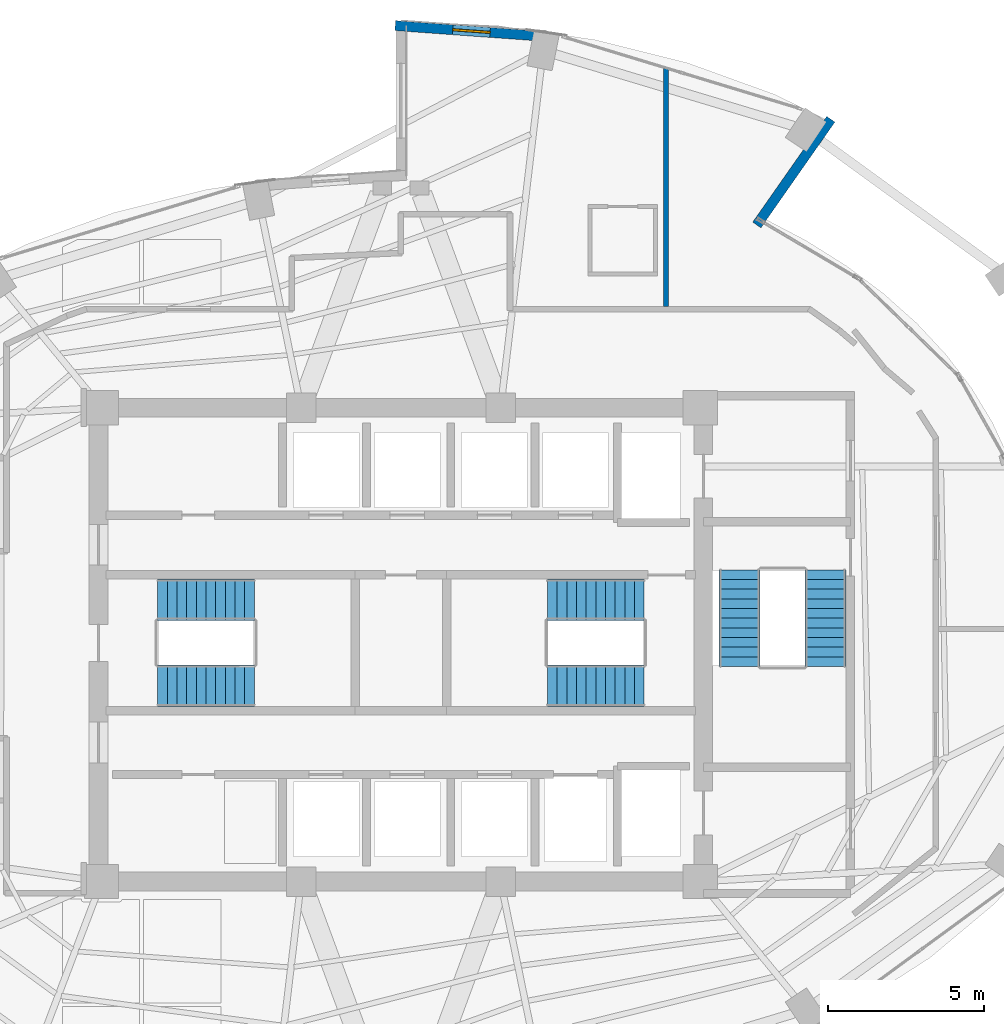
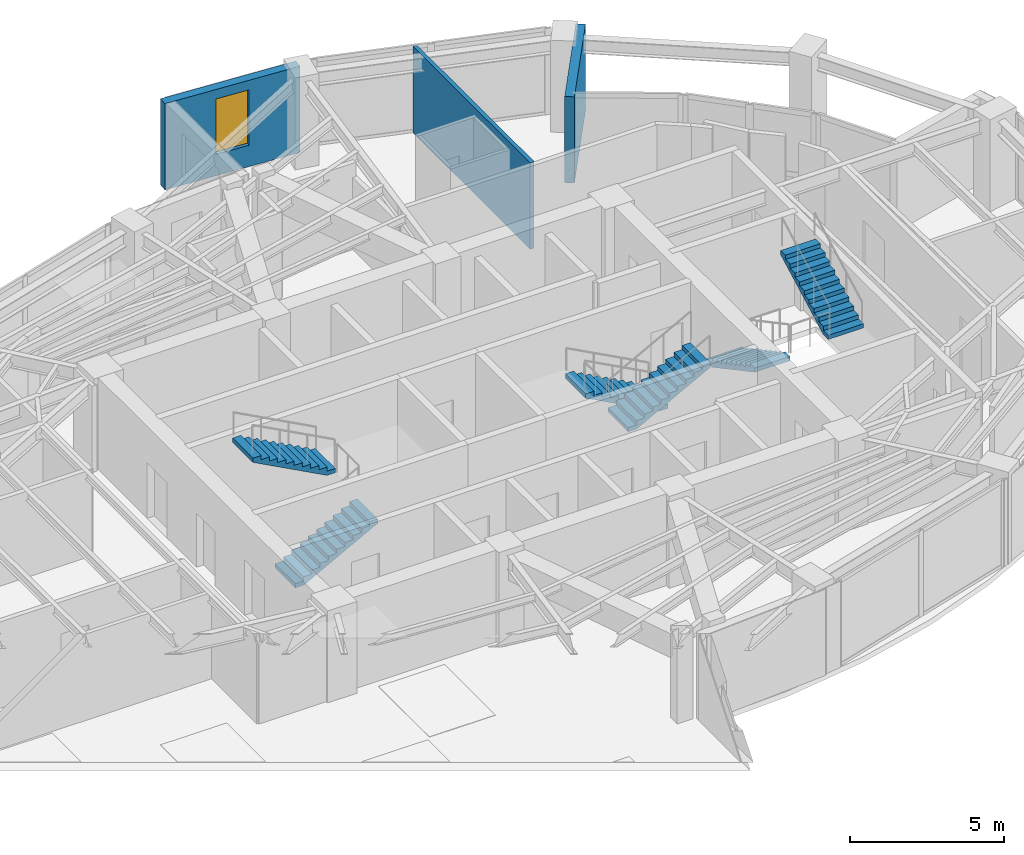
# One storey, part 17 of 19: 6 stair flights, 3 walls, 1 window, 1 opening, 3 elements without a shape of their own.
"""IFC4 building model written with IfcOpenShell, lengths in metres."""

from ifc_helpers import new_model, si_unit, direction, frame, frame_2d, origin, place, context, subcontext, project, spatial, polyline, rectangle, outline, extrude, material, layer, layer_set, type_object, element, fill, aggregate, save


model = new_model("IFC4")

# Units and contexts
model_context = context("Model", 3, precision=1e-05, world=origin(), true_north=direction((0.0, 1.0)))
body_context = subcontext(model_context, "Body", "Model", "MODEL_VIEW")
ifc_project = project(units=[si_unit("LENGTHUNIT", "METRE"), si_unit("AREAUNIT", "SQUARE_METRE"), si_unit("VOLUMEUNIT", "CUBIC_METRE"), si_unit("PLANEANGLEUNIT", "RADIAN"), si_unit("MASSUNIT", "GRAM", prefix="KILO")], contexts=[model_context])

# Site, building, storey
site_placement = place(None, origin())
site = spatial("IfcSite", under=ifc_project, at=site_placement, CompositionType="ELEMENT")
building_placement = place(site_placement, origin())
building = spatial("IfcBuilding", under=site, at=building_placement, Name="Lazwardi Medical Tower", CompositionType="ELEMENT")
storey_placement = place(building_placement, frame((0.0, 0.0, 167.471923828125)))
storey = spatial("IfcBuildingStorey", under=building, at=storey_placement, Name="L43", CompositionType="ELEMENT", Elevation=167.471923828125)

# Wall, opening, window
ifc_material_1 = material(Name="Precast concrete C45/55", Category="concrete")
ifc_layer_1 = layer(ifc_material_1, 0.320068359375)
ifc_layer_set_1 = layer_set([ifc_layer_1], Name="Precast concrete C45/55")
wall_type_1 = type_object("IfcWallType", Name="WL-IWAN-320", PredefinedType="SOLIDWALL", material=ifc_layer_set_1)
wall_1_placement = place(storey_placement, frame((40.700927734375, 47.501220703125, 0.0), z_axis=(0.0, 0.0, 1.0), x_axis=(-0.997415460462, 0.071849838072, 0.0)))
wall_1 = element("IfcWall", 1, at=wall_1_placement, inside=storey, type_object=wall_type_1, Name="L43 Iwan Portal Return Wall NE_ret", PredefinedType="SOLIDWALL", context=body_context, shape_type="SweptSolid", body=[
    extrude(rectangle(XDim=4.89306640625, YDim=0.320068359375, at=frame_2d((2.446533203125, 0.0))), origin(), (0.0, 0.0, 1.0), 3.427978515625),
])
opening_placement = place(wall_1_placement, frame((1.846435546875, 0.0, 0.85009765625)))
opening = element("IfcOpeningElement", 2, at=opening_placement, cuts=wall_1, Name="Opening WN-01", PredefinedType="OPENING", context=body_context, shape_type="SweptSolid", body=[
    extrude(rectangle(XDim=1.199951171875, YDim=2.199951171875, at=frame_2d((0.60009765625, 1.10009765625))), frame((0.0, 0.169921875, 0.0), z_axis=(0.0, -1.0, 0.0), x_axis=(1.0, 0.0, 0.0)), (0.0, 0.0, 1.0), 0.340087890625),
])
ifc_material_2 = material(Name="Low-e bronze solar control double glazing", Category="glass")
window_type = type_object("IfcWindowType", Name="WIN-IW-1200", PartitioningType="SINGLE_PANEL", PredefinedType="WINDOW", material=ifc_material_2)
window_placement = place(opening_placement, origin())
window = element("IfcWindow", 3, at=window_placement, inside=storey, type_object=window_type, Name="L43 Iwan Slot Window NE_ret", OverallHeight=2.199951171875, OverallWidth=1.199951171875, PartitioningType="SINGLE_PANEL", PredefinedType="WINDOW", context=body_context, shape_type="SweptSolid", body=[
    extrude(rectangle(XDim=1.199951171875, YDim=2.199951171875, at=frame_2d((0.60009765625, 1.10009765625))), frame((0.0, 0.030029296875, 0.0), z_axis=(0.0, -1.0, 0.0), x_axis=(1.0, 0.0, 0.0)), (0.0, 0.0, 1.0), 0.06005859375),
])
fill(opening, window)

# Walls
wall_2_placement = place(storey_placement, frame((49.788818359375, 44.849853515625, 0.0), z_axis=(0.0, 0.0, 1.0), x_axis=(-0.57355337011, -0.819168194961, 0.0)))
element("IfcWall", 4, at=wall_2_placement, inside=storey, type_object=wall_type_1, Name="L43 Sky Garden SG3 Flank Wall S1", PredefinedType="SOLIDWALL", context=body_context, shape_type="SweptSolid", body=[
    extrude(rectangle(XDim=4.139892578125, YDim=0.320068359375, at=frame_2d((2.06982421875, 0.0))), origin(), (0.0, 0.0, 1.0), 3.427978515625),
])
ifc_material_3 = material(Name="Acoustic gypsum board partition")
ifc_layer_2 = layer(ifc_material_3, 0.14990234375)
ifc_layer_set_2 = layer_set([ifc_layer_2], Name="Acoustic gypsum board partition")
wall_type_2 = type_object("IfcWallType", Name="WL-WRD-150", PredefinedType="PARTITIONING", material=ifc_layer_set_2)
wall_3_placement = place(storey_placement, frame((44.5, 38.840087890625, 0.0), z_axis=(0.0, 0.0, 1.0), x_axis=(0.0, 1.0, 0.0)))
element("IfcWall", 5, at=wall_3_placement, inside=storey, type_object=wall_type_2, Name="L43 Room partition 4", PredefinedType="PARTITIONING", context=body_context, shape_type="SweptSolid", body=[
    extrude(rectangle(XDim=7.639404296875, YDim=0.14990234375, at=frame_2d((3.81982421875, 0.0))), origin(), (0.0, 0.0, 1.0), 3.427978515625),
])

# Stair, stair flights
ifc_material_4 = material(Name="Concrete C45/55", Category="concrete")
stair_type = type_object("IfcStairType", Name="STR-WRD", PredefinedType="HALF_TURN_STAIR", material=ifc_material_4)
stair_1_placement = place(storey_placement, origin())
stair_1 = element("IfcStair", 6, at=stair_1_placement, inside=storey, type_object=stair_type, Name="L43 Protected Exit Stair ST1", PredefinedType="HALF_TURN_STAIR")
stair_flight_type = type_object("IfcStairFlightType", Name="FLT-WRD", PredefinedType="STRAIGHT", material=ifc_material_4)
stair_flight_1_placement = place(storey_placement, frame((28.199951171875, 26.679931640625, 0.0), z_axis=(0.0, 0.0, 1.0), x_axis=(1.0, 0.0, 0.0)))
stair_flight_1 = element("IfcStairFlight", 7, at=stair_flight_1_placement, type_object=stair_flight_type, Name="ST1 flight 1", NumberOfRisers=11, NumberOfTreads=10, PredefinedType="STRAIGHT", RiserHeight=0.165818182, TreadLength=0.31, context=body_context, shape_type="SweptSolid", body=[
    extrude(outline(polyline([(0.0, 0.0), (0.0, 0.165771484375), (0.31005859375, 0.165771484375), (0.31005859375, 0.33154296875), (0.6201171875, 0.33154296875), (0.6201171875, 0.49755859375), (0.929931640625, 0.49755859375), (0.929931640625, 0.663330078125), (1.239990234375, 0.663330078125), (1.239990234375, 0.8291015625), (1.550048828125, 0.8291015625), (1.550048828125, 0.994873046875), (1.860107421875, 0.994873046875), (1.860107421875, 1.16064453125), (2.169921875, 1.16064453125), (2.169921875, 1.32666015625), (2.47998046875, 1.32666015625), (2.47998046875, 1.492431640625), (2.7900390625, 1.492431640625), (2.7900390625, 1.658203125), (3.10009765625, 1.658203125), (3.10009765625, 1.823974609375), (3.10009765625, 1.48828125), (0.31787109375, 0.0), (0.0, 0.0)])), frame((0.0, 0.66015625, 0.0), z_axis=(0.0, -1.0, 0.0), x_axis=(1.0, 0.0, 0.0)), (0.0, 0.0, 1.0), 1.320068359375),
])
stair_flight_2_placement = place(storey_placement, frame((31.300048828125, 29.43994140625, 1.823974609375), z_axis=(0.0, 0.0, 1.0), x_axis=(-1.0, 0.0, 0.0)))
stair_flight_2 = element("IfcStairFlight", 8, at=stair_flight_2_placement, type_object=stair_flight_type, Name="ST1 flight 2", NumberOfRisers=11, NumberOfTreads=10, PredefinedType="STRAIGHT", RiserHeight=0.165818182, TreadLength=0.31, context=body_context, shape_type="SweptSolid", body=[
    extrude(outline(polyline([(0.0, 0.0), (0.0, 0.165771484375), (0.31005859375, 0.165771484375), (0.31005859375, 0.33154296875), (0.6201171875, 0.33154296875), (0.6201171875, 0.49755859375), (0.929931640625, 0.49755859375), (0.929931640625, 0.663330078125), (1.239990234375, 0.663330078125), (1.239990234375, 0.8291015625), (1.550048828125, 0.8291015625), (1.550048828125, 0.994873046875), (1.860107421875, 0.994873046875), (1.860107421875, 1.16064453125), (2.169921875, 1.16064453125), (2.169921875, 1.32666015625), (2.47998046875, 1.32666015625), (2.47998046875, 1.492431640625), (2.7900390625, 1.492431640625), (2.7900390625, 1.658203125), (3.10009765625, 1.658203125), (3.10009765625, 1.823974609375), (3.10009765625, 1.48828125), (0.31787109375, 0.0), (0.0, 0.0)])), frame((0.0, 0.66015625, 0.0), z_axis=(0.0, -1.0, 0.0), x_axis=(1.0, 0.0, 0.0)), (0.0, 0.0, 1.0), 1.320068359375),
])
aggregate(stair_1, [stair_flight_1, stair_flight_2])

stair_2_placement = place(storey_placement, origin())
stair_2 = element("IfcStair", 9, at=stair_2_placement, inside=storey, type_object=stair_type, Name="L43 Protected Exit Stair ST2", PredefinedType="HALF_TURN_STAIR")
stair_flight_3_placement = place(storey_placement, frame((43.800048828125, 29.43994140625, 0.0), z_axis=(0.0, 0.0, 1.0), x_axis=(-1.0, 0.0, 0.0)))
stair_flight_3 = element("IfcStairFlight", 10, at=stair_flight_3_placement, type_object=stair_flight_type, Name="ST2 flight 1", NumberOfRisers=11, NumberOfTreads=10, PredefinedType="STRAIGHT", RiserHeight=0.165818182, TreadLength=0.31, context=body_context, shape_type="SweptSolid", body=[
    extrude(outline(polyline([(0.0, 0.0), (0.0, 0.165771484375), (0.31005859375, 0.165771484375), (0.31005859375, 0.33154296875), (0.6201171875, 0.33154296875), (0.6201171875, 0.49755859375), (0.929931640625, 0.49755859375), (0.929931640625, 0.663330078125), (1.239990234375, 0.663330078125), (1.239990234375, 0.8291015625), (1.550048828125, 0.8291015625), (1.550048828125, 0.994873046875), (1.860107421875, 0.994873046875), (1.860107421875, 1.16064453125), (2.169921875, 1.16064453125), (2.169921875, 1.32666015625), (2.47998046875, 1.32666015625), (2.47998046875, 1.492431640625), (2.7900390625, 1.492431640625), (2.7900390625, 1.658203125), (3.10009765625, 1.658203125), (3.10009765625, 1.823974609375), (3.10009765625, 1.48828125), (0.31787109375, 0.0), (0.0, 0.0)])), frame((0.0, 0.66015625, 0.0), z_axis=(0.0, -1.0, 0.0), x_axis=(1.0, 0.0, 0.0)), (0.0, 0.0, 1.0), 1.320068359375),
])
stair_flight_4_placement = place(storey_placement, frame((40.699951171875, 26.679931640625, 1.823974609375), z_axis=(0.0, 0.0, 1.0), x_axis=(1.0, 0.0, 0.0)))
stair_flight_4 = element("IfcStairFlight", 11, at=stair_flight_4_placement, type_object=stair_flight_type, Name="ST2 flight 2", NumberOfRisers=11, NumberOfTreads=10, PredefinedType="STRAIGHT", RiserHeight=0.165818182, TreadLength=0.31, context=body_context, shape_type="SweptSolid", body=[
    extrude(outline(polyline([(0.0, 0.0), (0.0, 0.165771484375), (0.31005859375, 0.165771484375), (0.31005859375, 0.33154296875), (0.6201171875, 0.33154296875), (0.6201171875, 0.49755859375), (0.929931640625, 0.49755859375), (0.929931640625, 0.663330078125), (1.239990234375, 0.663330078125), (1.239990234375, 0.8291015625), (1.550048828125, 0.8291015625), (1.550048828125, 0.994873046875), (1.860107421875, 0.994873046875), (1.860107421875, 1.16064453125), (2.169921875, 1.16064453125), (2.169921875, 1.32666015625), (2.47998046875, 1.32666015625), (2.47998046875, 1.492431640625), (2.7900390625, 1.492431640625), (2.7900390625, 1.658203125), (3.10009765625, 1.658203125), (3.10009765625, 1.823974609375), (3.10009765625, 1.48828125), (0.31787109375, 0.0), (0.0, 0.0)])), frame((0.0, 0.66015625, 0.0), z_axis=(0.0, -1.0, 0.0), x_axis=(1.0, 0.0, 0.0)), (0.0, 0.0, 1.0), 1.320068359375),
])
aggregate(stair_2, [stair_flight_3, stair_flight_4])

stair_3_placement = place(storey_placement, origin())
stair_3 = element("IfcStair", 12, at=stair_3_placement, inside=storey, type_object=stair_type, Name="L43 Protected Exit Stair ST3", PredefinedType="HALF_TURN_STAIR")
stair_flight_5_placement = place(storey_placement, frame((46.860107421875, 30.39990234375, 0.0), z_axis=(0.0, 0.0, 1.0), x_axis=(0.0, -1.0, 0.0)))
stair_flight_5 = element("IfcStairFlight", 13, at=stair_flight_5_placement, type_object=stair_flight_type, Name="ST3 flight 1", NumberOfRisers=11, NumberOfTreads=10, PredefinedType="STRAIGHT", RiserHeight=0.165818182, TreadLength=0.31, context=body_context, shape_type="SweptSolid", body=[
    extrude(outline(polyline([(0.0, 0.0), (0.0, 0.165771484375), (0.31005859375, 0.165771484375), (0.31005859375, 0.33154296875), (0.6201171875, 0.33154296875), (0.6201171875, 0.49755859375), (0.929931640625, 0.49755859375), (0.929931640625, 0.663330078125), (1.239990234375, 0.663330078125), (1.239990234375, 0.8291015625), (1.550048828125, 0.8291015625), (1.550048828125, 0.994873046875), (1.860107421875, 0.994873046875), (1.860107421875, 1.16064453125), (2.169921875, 1.16064453125), (2.169921875, 1.32666015625), (2.47998046875, 1.32666015625), (2.47998046875, 1.492431640625), (2.7900390625, 1.492431640625), (2.7900390625, 1.658203125), (3.10009765625, 1.658203125), (3.10009765625, 1.823974609375), (3.10009765625, 1.48828125), (0.31787109375, 0.0), (0.0, 0.0)])), frame((0.0, 0.66015625, 0.0), z_axis=(0.0, -1.0, 0.0), x_axis=(1.0, 0.0, 0.0)), (0.0, 0.0, 1.0), 1.320068359375),
])
stair_flight_6_placement = place(storey_placement, frame((49.6201171875, 27.300048828125, 1.823974609375), z_axis=(0.0, 0.0, 1.0), x_axis=(0.0, 1.0, 0.0)))
stair_flight_6 = element("IfcStairFlight", 14, at=stair_flight_6_placement, type_object=stair_flight_type, Name="ST3 flight 2", NumberOfRisers=11, NumberOfTreads=10, PredefinedType="STRAIGHT", RiserHeight=0.165818182, TreadLength=0.31, context=body_context, shape_type="SweptSolid", body=[
    extrude(outline(polyline([(0.0, 0.0), (0.0, 0.165771484375), (0.31005859375, 0.165771484375), (0.31005859375, 0.33154296875), (0.6201171875, 0.33154296875), (0.6201171875, 0.49755859375), (0.929931640625, 0.49755859375), (0.929931640625, 0.663330078125), (1.239990234375, 0.663330078125), (1.239990234375, 0.8291015625), (1.550048828125, 0.8291015625), (1.550048828125, 0.994873046875), (1.860107421875, 0.994873046875), (1.860107421875, 1.16064453125), (2.169921875, 1.16064453125), (2.169921875, 1.32666015625), (2.47998046875, 1.32666015625), (2.47998046875, 1.492431640625), (2.7900390625, 1.492431640625), (2.7900390625, 1.658203125), (3.10009765625, 1.658203125), (3.10009765625, 1.823974609375), (3.10009765625, 1.48828125), (0.31787109375, 0.0), (0.0, 0.0)])), frame((0.0, 0.66015625, 0.0), z_axis=(0.0, -1.0, 0.0), x_axis=(1.0, 0.0, 0.0)), (0.0, 0.0, 1.0), 1.320068359375),
])
aggregate(stair_3, [stair_flight_5, stair_flight_6])

save(model, "model.ifc")
